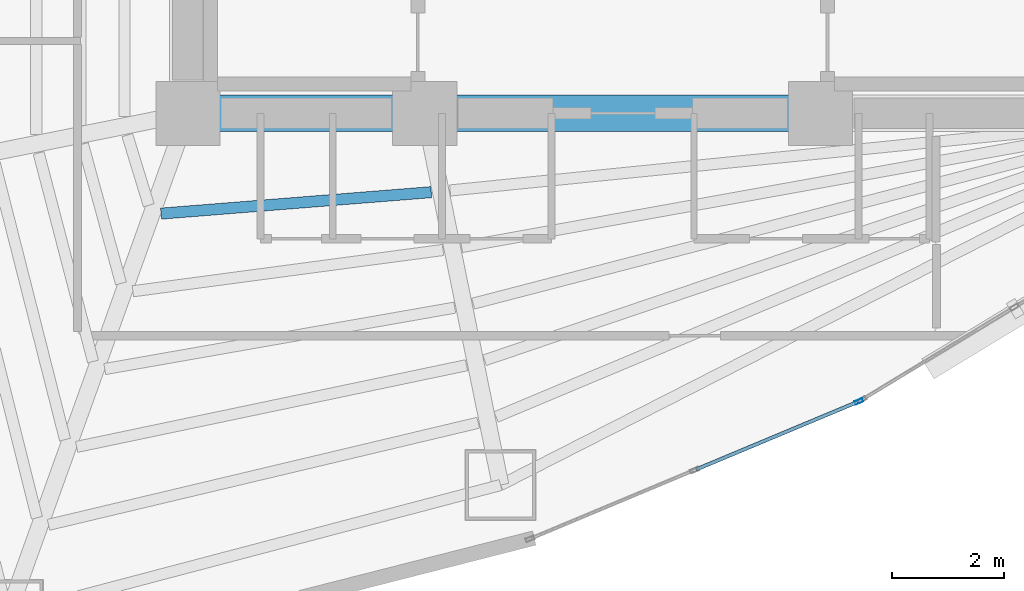
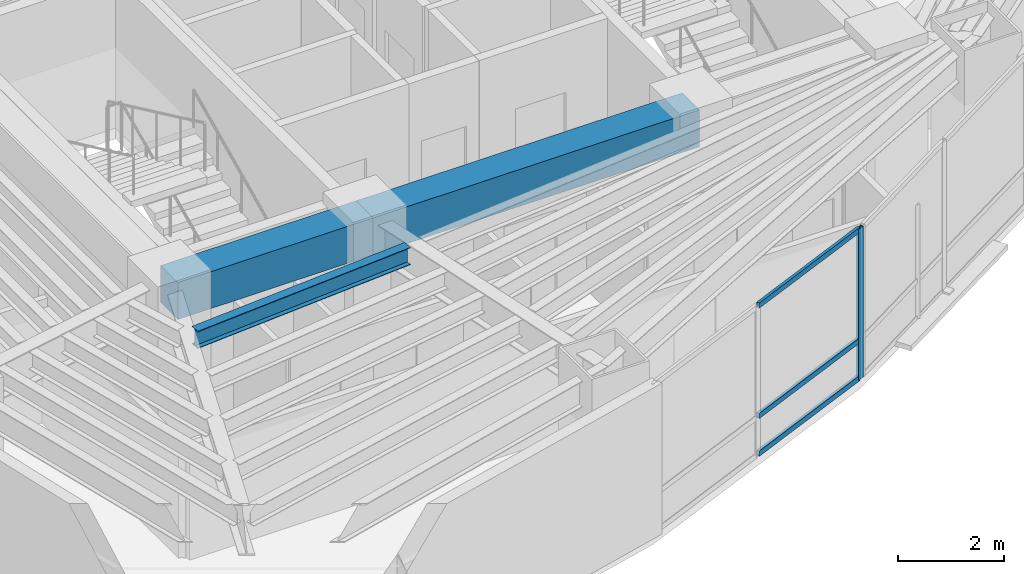
# One storey, part 4 of 18: 4 members, 3 beams, 1 element without a shape of its own.
"""IFC4 building model written with IfcOpenShell, lengths in metres."""

from ifc_helpers import new_model, si_unit, direction, frame, origin, origin_2d, place, context, subcontext, project, spatial, rectangle, hollow_rectangle, i_section, extrude, material, layer, layer_set, material_profile, profile_set, type_object, element, aggregate, save


model = new_model("IFC4")

# Units and contexts
model_context = context("Model", 3, precision=1e-05, world=origin(), true_north=direction((0.0, 1.0)))
body_context = subcontext(model_context, "Body", "Model", "MODEL_VIEW")
ifc_project = project(units=[si_unit("LENGTHUNIT", "METRE"), si_unit("AREAUNIT", "SQUARE_METRE"), si_unit("VOLUMEUNIT", "CUBIC_METRE"), si_unit("PLANEANGLEUNIT", "RADIAN"), si_unit("MASSUNIT", "GRAM", prefix="KILO")], contexts=[model_context])

# Site, building, storey
site_placement = place(None, origin())
site = spatial("IfcSite", under=ifc_project, at=site_placement, CompositionType="ELEMENT")
building_placement = place(site_placement, origin())
building = spatial("IfcBuilding", under=site, at=building_placement, Name="Menara Vayukalpa", CompositionType="ELEMENT")
storey_placement = place(building_placement, frame((0.0, 0.0, 92.820068359375)))
storey = spatial("IfcBuildingStorey", under=building, at=storey_placement, Name="L22", CompositionType="ELEMENT", Elevation=92.820068359375)

# Beams
ifc_material_1 = material(Name="Concrete C60/75", Category="concrete")
ifc_material_profile_1 = material_profile(ifc_material_1, rectangle(XDim=0.64990234375, YDim=0.85009765625, at=origin_2d()), Name="RC 650x850")
ifc_profile_set_1 = profile_set([ifc_material_profile_1], Name="Concrete C60/75")
beam_type_1 = type_object("IfcBeamType", Name="BM-CB1", PredefinedType="BEAM", material=ifc_profile_set_1)
beam_1_placement = place(storey_placement, frame((17.800048828125, 17.199951171875, 3.044921875), z_axis=(1.0, 0.0, 0.0), x_axis=(0.0, 1.0, 0.0)))
element("IfcBeam", 1, at=beam_1_placement, inside=storey, type_object=beam_type_1, Name="L22 Core Tie Beam CBR1", PredefinedType="BEAM", context=body_context, shape_type="SweptSolid", body=[
    extrude(rectangle(XDim=0.64990234375, YDim=0.85009765625, at=origin_2d()), origin(), (0.0, 0.0, 1.0), 4.25),
])
beam_2_placement = place(storey_placement, frame((22.050048828125, 17.199951171875, 3.044921875), z_axis=(1.0, 0.0, 0.0), x_axis=(0.0, 1.0, 0.0)))
element("IfcBeam", 2, at=beam_2_placement, inside=storey, type_object=beam_type_1, Name="L22 Core Tie Beam CBR2", PredefinedType="BEAM", context=body_context, shape_type="SweptSolid", body=[
    extrude(rectangle(XDim=0.64990234375, YDim=0.85009765625, at=origin_2d()), origin(), (0.0, 0.0, 1.0), 7.099853515625),
])
ifc_material_2 = material(Name="Steel S355", Category="steel")
ifc_material_profile_2 = material_profile(ifc_material_2, i_section(OverallWidth=0.199951171875, OverallDepth=0.39990234375, WebThickness=0.008056640625, FlangeThickness=0.012939453125, at=origin_2d()), Name="WF 400x200x8x13")
ifc_profile_set_2 = profile_set([ifc_material_profile_2], Name="Steel S355")
beam_type_2 = type_object("IfcBeamType", Name="BM-SJ2", PredefinedType="JOIST", material=ifc_profile_set_2)
beam_3_placement = place(storey_placement, frame((17.318603515625, 15.40087890625, 3.27001953125), z_axis=(0.996868534468, 0.079076703187, 0.0), x_axis=(-0.079076703187, 0.996868534468, 0.0)))
element("IfcBeam", 3, at=beam_3_placement, inside=storey, type_object=beam_type_2, Name="L22 Secondary Floor Joist SJ07-1", PredefinedType="JOIST", context=body_context, shape_type="SweptSolid", body=[
    extrude(i_section(OverallWidth=0.199951171875, OverallDepth=0.39990234375, WebThickness=0.008056640625, FlangeThickness=0.012939453125, at=origin_2d()), origin(), (0.0, 0.0, 1.0), 4.862548828125),
])

# Curtain wall, members
ifc_material_3 = material(Name="Anodised Terracotta Aluminium Alloy 6063-T6", Category="masonry")
ifc_layer = layer(ifc_material_3, 0.14990234375)
ifc_layer_set = layer_set([ifc_layer], Name="Anodised Terracotta Aluminium Alloy 6063-T6")
curtain_wall_type = type_object("IfcCurtainWallType", Name="CW-CW3", PredefinedType="USERDEFINED", material=ifc_layer_set)
curtain_wall_placement = place(storey_placement, origin())
curtain_wall = element("IfcCurtainWall", 4, at=curtain_wall_placement, inside=storey, type_object=curtain_wall_type, Name="L22 Mid Rise Terracotta Ribbon Curtain Wall CW3 16", ObjectType="UNITISED", PredefinedType="USERDEFINED")
ifc_material_4 = material(Name="Anodised Terracotta Aluminium Alloy 6063-T6", Category="masonry")
ifc_material_profile_3 = material_profile(ifc_material_4, hollow_rectangle(XDim=0.06494140625, YDim=0.14990234375, WallThickness=0.00341796875, at=origin_2d()), Name="ALU 65x150x3.5")
ifc_profile_set_3 = profile_set([ifc_material_profile_3], Name="Anodised Terracotta Aluminium Alloy 6063-T6")
member_type_1 = type_object("IfcMemberType", Name="CWM-CW3", PredefinedType="MULLION", material=ifc_profile_set_3)
member_1_placement = place(storey_placement, frame((29.8359375, 12.0322265625, 0.0), z_axis=(0.0, 0.0, 1.0), x_axis=(-0.38589358437, 0.922543300632, 0.0)))
member_1 = element("IfcMember", 5, at=member_1_placement, type_object=member_type_1, Name="CW3 mullion 3", PredefinedType="MULLION", context=body_context, shape_type="SweptSolid", body=[
    extrude(hollow_rectangle(XDim=0.06494140625, YDim=0.14990234375, WallThickness=0.00341796875, at=origin_2d()), origin(), (0.0, 0.0, 1.0), 3.469970703125),
])
ifc_material_5 = material(Name="Anodised Terracotta Aluminium Alloy 6063-T6", Category="masonry")
ifc_material_profile_4 = material_profile(ifc_material_5, hollow_rectangle(XDim=0.06494140625, YDim=0.1201171875, WallThickness=0.00341796875, at=origin_2d()), Name="ALU 65x120x3.5")
ifc_profile_set_4 = profile_set([ifc_material_profile_4], Name="Anodised Terracotta Aluminium Alloy 6063-T6")
member_type_2 = type_object("IfcMemberType", Name="CWT-CW3", PredefinedType="USERDEFINED", material=ifc_profile_set_4)
member_2_placement = place(storey_placement, frame((26.916748046875, 10.81103515625, 0.032470703125), z_axis=(0.922517812792, 0.385954511673, 0.0), x_axis=(-0.385954511673, 0.922517812792, 0.0)))
member_2 = element("IfcMember", 6, at=member_2_placement, type_object=member_type_2, Name="CW3 transom 2.1", ObjectType="TRANSOM", PredefinedType="USERDEFINED", context=body_context, shape_type="SweptSolid", body=[
    extrude(hollow_rectangle(XDim=0.06494140625, YDim=0.1201171875, WallThickness=0.00341796875, at=origin_2d()), origin(), (0.0, 0.0, 1.0), 3.1318359375),
])
member_3_placement = place(storey_placement, frame((26.916748046875, 10.81103515625, 0.89990234375), z_axis=(0.922517812792, 0.385954511673, 0.0), x_axis=(-0.385954511673, 0.922517812792, 0.0)))
member_3 = element("IfcMember", 7, at=member_3_placement, type_object=member_type_2, Name="CW3 transom 2.2", ObjectType="TRANSOM", PredefinedType="USERDEFINED", context=body_context, shape_type="SweptSolid", body=[
    extrude(hollow_rectangle(XDim=0.06494140625, YDim=0.1201171875, WallThickness=0.00341796875, at=origin_2d()), origin(), (0.0, 0.0, 1.0), 3.1318359375),
])
member_4_placement = place(storey_placement, frame((26.916748046875, 10.81103515625, 3.4375), z_axis=(0.922517812792, 0.385954511673, 0.0), x_axis=(-0.385954511673, 0.922517812792, 0.0)))
member_4 = element("IfcMember", 8, at=member_4_placement, type_object=member_type_2, Name="CW3 transom 2.3", ObjectType="TRANSOM", PredefinedType="USERDEFINED", context=body_context, shape_type="SweptSolid", body=[
    extrude(hollow_rectangle(XDim=0.06494140625, YDim=0.1201171875, WallThickness=0.00341796875, at=origin_2d()), origin(), (0.0, 0.0, 1.0), 3.1318359375),
])
aggregate(curtain_wall, [member_1, member_2, member_3, member_4])

save(model, "model.ifc")
